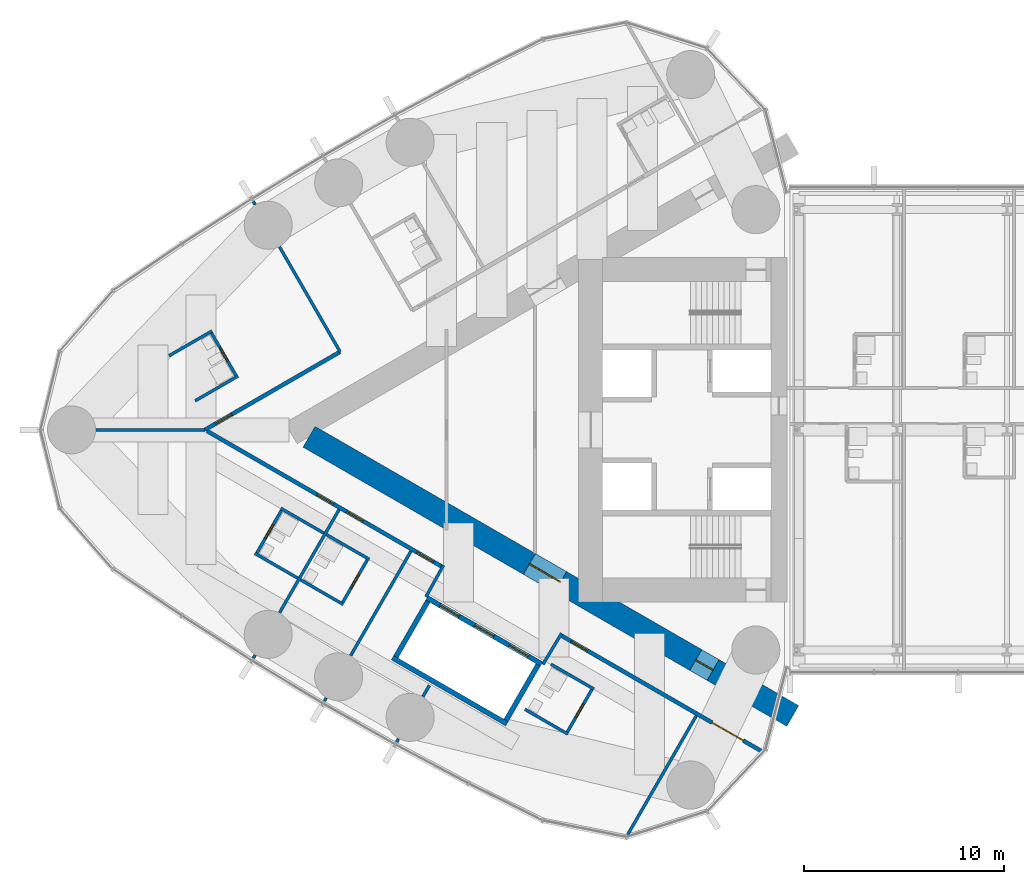
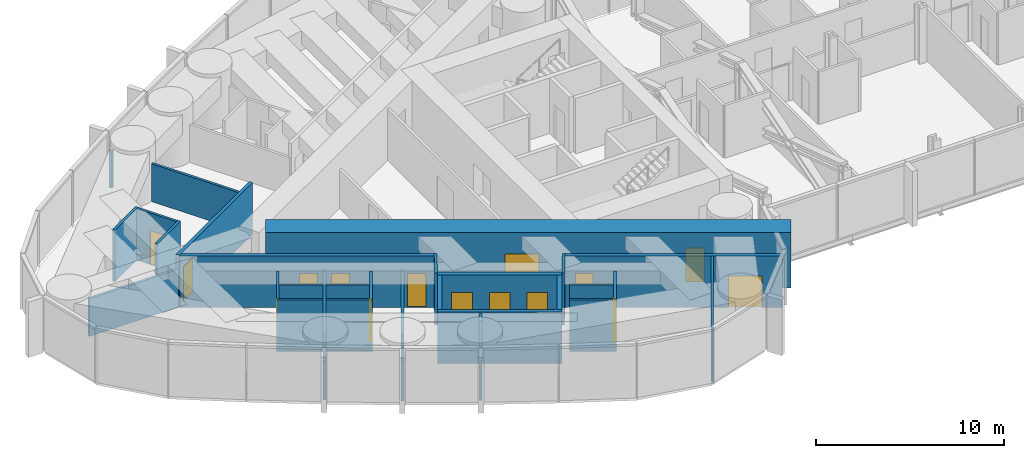
# One storey, part 14 of 22: 32 walls, 15 doors, 15 openings.
"""IFC4 building model written with IfcOpenShell, lengths in metres."""

from ifc_helpers import new_model, si_unit, direction, frame, frame_2d, origin, place, context, subcontext, project, spatial, rectangle, extrude, material, layer, layer_set, type_object, element, fill, save


model = new_model("IFC4")

# Units and contexts
model_context = context("Model", 3, precision=1e-05, world=origin(), true_north=direction((0.0, 1.0)))
body_context = subcontext(model_context, "Body", "Model", "MODEL_VIEW")
ifc_project = project(units=[si_unit("LENGTHUNIT", "METRE"), si_unit("AREAUNIT", "SQUARE_METRE"), si_unit("VOLUMEUNIT", "CUBIC_METRE"), si_unit("PLANEANGLEUNIT", "RADIAN"), si_unit("MASSUNIT", "GRAM", prefix="KILO")], contexts=[model_context])

# Site, building, storey
site_placement = place(None, origin())
site = spatial("IfcSite", under=ifc_project, at=site_placement, CompositionType="ELEMENT")
building_placement = place(site_placement, origin())
building = spatial("IfcBuilding", under=site, at=building_placement, Name="Lancet Gate Hotel", CompositionType="ELEMENT")
storey_placement = place(building_placement, frame((0.0, 0.0, 229.699951171875)))
storey = spatial("IfcBuildingStorey", under=building, at=storey_placement, Name="L61", CompositionType="ELEMENT", Elevation=229.699951171875)

# Wall
ifc_material_1 = material(Name="Moisture resistant board partition")
ifc_layer_1 = layer(ifc_material_1, 0.14990234375)
ifc_layer_set_1 = layer_set([ifc_layer_1], Name="Bathroom wall 150")
wall_type_1 = type_object("IfcWallType", Name="Bathroom wall 150", PredefinedType="PARTITIONING", material=ifc_layer_set_1)
wall_1_placement = place(storey_placement, frame((-56.215087890625, 4.938232421875, 0.0), z_axis=(0.0, 0.0, 1.0), x_axis=(-0.866006523861, -0.500032699561, 0.0)))
element("IfcWall", 1, at=wall_1_placement, inside=storey, type_object=wall_type_1, Name="T1 bathroom wall 150 L61", PredefinedType="PARTITIONING", context=body_context, shape_type="SweptSolid", body=[
    extrude(rectangle(XDim=2.474853515625, YDim=0.14990234375, at=frame_2d((1.2373046875, 0.0))), origin(), (0.0, 0.0, 1.0), 3.35009765625),
])

# Wall, opening, door
wall_2_placement = place(storey_placement, frame((-54.97998046875, 2.64892578125, 0.0), z_axis=(0.0, 0.0, 1.0), x_axis=(-0.500006934395, 0.866021400173, 0.0)))
wall_2 = element("IfcWall", 2, at=wall_2_placement, inside=storey, type_object=wall_type_1, Name="T1 bathroom wall 150 L61", PredefinedType="PARTITIONING", context=body_context, shape_type="SweptSolid", body=[
    extrude(rectangle(XDim=2.60009765625, YDim=0.14990234375, at=frame_2d((1.300048828125, 0.0))), origin(), (0.0, 0.0, 1.0), 3.35009765625),
])
opening_1_placement = place(wall_2_placement, frame((0.89990234375, 0.0, 0.0)))
opening_1 = element("IfcOpeningElement", 3, at=opening_1_placement, cuts=wall_2, Name="Opening 6105-B", PredefinedType="OPENING", context=body_context, shape_type="SweptSolid", body=[
    extrude(rectangle(XDim=0.800048828125, YDim=2.199951171875, at=frame_2d((0.39990234375, 1.10009765625))), frame((0.0, 0.0849609375, 0.0), z_axis=(0.0, -1.0, 0.0), x_axis=(1.0, 0.0, 0.0)), (0.0, 0.0, 1.0), 0.169921875),
])
ifc_material_2 = material(Name="Timber door set", Category="wood")
door_type_1 = type_object("IfcDoorType", Name="Bathroom door 800", OperationType="SINGLE_SWING_RIGHT", PredefinedType="DOOR", material=ifc_material_2)
door_1_placement = place(opening_1_placement, origin())
door_1 = element("IfcDoor", 4, at=door_1_placement, inside=storey, type_object=door_type_1, Name="6105-B", OperationType="SINGLE_SWING_RIGHT", OverallHeight=2.199951171875, OverallWidth=0.800048828125, PredefinedType="DOOR", context=body_context, shape_type="SweptSolid", body=[
    extrude(rectangle(XDim=0.800048828125, YDim=2.199951171875, at=frame_2d((0.39990234375, 1.10009765625))), frame((0.0, 0.02490234375, 0.0), z_axis=(0.0, -1.0, 0.0), x_axis=(1.0, 0.0, 0.0)), (0.0, 0.0, 1.0), 0.050048828125),
])
fill(opening_1, door_1)

# Walls
for number, where, z_axis, x_axis, name in (
    (5, (-54.9150390625, 2.6865234375, 0.0), (0.0, 0.0, 1.0), (-0.866006523861, -0.500032699561, 0.0), "T1 bathroom wall 150 L61"),
    (6, (-51.931396484375, -7.411376953125, 0.0), (0.0, 0.0, 1.0), (-0.866006523861, 0.500032699561, 0.0), "T1 bathroom wall 150 L61"),
):
    element("IfcWall", number, at=place(storey_placement, frame(where, z_axis=z_axis, x_axis=x_axis)), inside=storey, type_object=wall_type_1, Name=name, PredefinedType="PARTITIONING", context=body_context, shape_type="SweptSolid", body=[
        extrude(rectangle(XDim=2.474853515625, YDim=0.14990234375, at=frame_2d((1.2373046875, 0.0))), origin(), (0.0, 0.0, 1.0), 3.35009765625),
    ])

# Wall, opening, door
wall_3_placement = place(storey_placement, frame((-52.709716796875, -3.959716796875, 0.0), z_axis=(0.0, 0.0, 1.0), x_axis=(-0.500006934395, -0.866021400173, 0.0)))
wall_3 = element("IfcWall", 7, at=wall_3_placement, inside=storey, type_object=wall_type_1, Name="T1 bathroom wall 150 L61", PredefinedType="PARTITIONING", context=body_context, shape_type="SweptSolid", body=[
    extrude(rectangle(XDim=2.60009765625, YDim=0.14990234375, at=frame_2d((1.300048828125, 0.0))), origin(), (0.0, 0.0, 1.0), 3.35009765625),
])
opening_2_placement = place(wall_3_placement, frame((0.89990234375, 0.0, 0.0)))
opening_2 = element("IfcOpeningElement", 8, at=opening_2_placement, cuts=wall_3, Name="Opening 6106-B", PredefinedType="OPENING", context=body_context, shape_type="SweptSolid", body=[
    extrude(rectangle(XDim=0.800048828125, YDim=2.199951171875, at=frame_2d((0.39990234375, 1.10009765625))), frame((0.0, 0.0849609375, 0.0), z_axis=(0.0, -1.0, 0.0), x_axis=(1.0, 0.0, 0.0)), (0.0, 0.0, 1.0), 0.169921875),
])
door_2_placement = place(opening_2_placement, origin())
door_2 = element("IfcDoor", 9, at=door_2_placement, inside=storey, type_object=door_type_1, Name="6106-B", OperationType="SINGLE_SWING_RIGHT", OverallHeight=2.199951171875, OverallWidth=0.800048828125, PredefinedType="DOOR", context=body_context, shape_type="SweptSolid", body=[
    extrude(rectangle(XDim=0.800048828125, YDim=2.199951171875, at=frame_2d((0.39990234375, 1.10009765625))), frame((0.0, 0.02490234375, 0.0), z_axis=(0.0, -1.0, 0.0), x_axis=(1.0, 0.0, 0.0)), (0.0, 0.0, 1.0), 0.050048828125),
])
fill(opening_2, door_2)

# Walls
wall_4_placement = place(storey_placement, frame((-50.63134765625, -5.15966796875, 0.0), z_axis=(0.0, 0.0, 1.0), x_axis=(-0.86604923931, 0.499958713387, 0.0)))
element("IfcWall", 10, at=wall_4_placement, inside=storey, type_object=wall_type_1, Name="T1 bathroom wall 150 L61", PredefinedType="PARTITIONING", context=body_context, shape_type="SweptSolid", body=[
    extrude(rectangle(XDim=2.474853515625, YDim=0.14990234375, at=frame_2d((1.2373046875, 0.0))), origin(), (0.0, 0.0, 1.0), 2.5),
])
wall_5_placement = place(storey_placement, frame((-49.657958984375, -8.723876953125, 0.0), z_axis=(0.0, 0.0, 1.0), x_axis=(-0.866031185235, 0.4999899861, 0.0)))
element("IfcWall", 11, at=wall_5_placement, inside=storey, type_object=wall_type_1, Name="T1 bathroom wall 150 L61", PredefinedType="PARTITIONING", context=body_context, shape_type="SweptSolid", body=[
    extrude(rectangle(XDim=2.47509765625, YDim=0.14990234375, at=frame_2d((1.237548828125, 0.0))), origin(), (0.0, 0.0, 1.0), 3.35009765625),
])

# Wall, opening, door
wall_6_placement = place(storey_placement, frame((-48.4228515625, -6.434814453125, 0.0), z_axis=(0.0, 0.0, 1.0), x_axis=(-0.500006934395, -0.866021400173, 0.0)))
wall_6 = element("IfcWall", 12, at=wall_6_placement, inside=storey, type_object=wall_type_1, Name="T1 bathroom wall 150 L61", PredefinedType="PARTITIONING", context=body_context, shape_type="SweptSolid", body=[
    extrude(rectangle(XDim=2.60009765625, YDim=0.14990234375, at=frame_2d((1.300048828125, 0.0))), origin(), (0.0, 0.0, 1.0), 3.35009765625),
])
opening_3_placement = place(wall_6_placement, frame((0.89990234375, 0.0, 0.0)))
opening_3 = element("IfcOpeningElement", 13, at=opening_3_placement, cuts=wall_6, Name="Opening 6107-B", PredefinedType="OPENING", context=body_context, shape_type="SweptSolid", body=[
    extrude(rectangle(XDim=0.800048828125, YDim=2.199951171875, at=frame_2d((0.39990234375, 1.10009765625))), frame((0.0, 0.0849609375, 0.0), z_axis=(0.0, -1.0, 0.0), x_axis=(1.0, 0.0, 0.0)), (0.0, 0.0, 1.0), 0.169921875),
])
door_3_placement = place(opening_3_placement, origin())
door_3 = element("IfcDoor", 14, at=door_3_placement, inside=storey, type_object=door_type_1, Name="6107-B", OperationType="SINGLE_SWING_RIGHT", OverallHeight=2.199951171875, OverallWidth=0.800048828125, PredefinedType="DOOR", context=body_context, shape_type="SweptSolid", body=[
    extrude(rectangle(XDim=0.800048828125, YDim=2.199951171875, at=frame_2d((0.39990234375, 1.10009765625))), frame((0.0, 0.02490234375, 0.0), z_axis=(0.0, -1.0, 0.0), x_axis=(1.0, 0.0, 0.0)), (0.0, 0.0, 1.0), 0.050048828125),
])
fill(opening_3, door_3)

# Walls
wall_7_placement = place(storey_placement, frame((-48.35791015625, -6.47216796875, 0.0), z_axis=(0.0, 0.0, 1.0), x_axis=(-0.866073894602, 0.499916002032, 0.0)))
element("IfcWall", 15, at=wall_7_placement, inside=storey, type_object=wall_type_1, Name="T1 bathroom wall 150 L61", PredefinedType="PARTITIONING", context=body_context, shape_type="SweptSolid", body=[
    extrude(rectangle(XDim=2.47509765625, YDim=0.14990234375, at=frame_2d((1.237548828125, 0.0))), origin(), (0.0, 0.0, 1.0), 2.5),
])
wall_8_placement = place(storey_placement, frame((-38.43798828125, -15.20166015625, 0.0), z_axis=(0.0, 0.0, 1.0), x_axis=(-0.866073894602, 0.499916002032, 0.0)))
element("IfcWall", 16, at=wall_8_placement, inside=storey, type_object=wall_type_1, Name="T1 bathroom wall 150 L61", PredefinedType="PARTITIONING", context=body_context, shape_type="SweptSolid", body=[
    extrude(rectangle(XDim=2.47509765625, YDim=0.14990234375, at=frame_2d((1.237548828125, 0.0))), origin(), (0.0, 0.0, 1.0), 3.35009765625),
])

# Wall, opening, door
wall_9_placement = place(storey_placement, frame((-37.202880859375, -12.91259765625, 0.0), z_axis=(0.0, 0.0, 1.0), x_axis=(-0.500006934395, -0.866021400173, 0.0)))
wall_9 = element("IfcWall", 17, at=wall_9_placement, inside=storey, type_object=wall_type_1, Name="T1 bathroom wall 150 L61", PredefinedType="PARTITIONING", context=body_context, shape_type="SweptSolid", body=[
    extrude(rectangle(XDim=2.60009765625, YDim=0.14990234375, at=frame_2d((1.300048828125, 0.0))), origin(), (0.0, 0.0, 1.0), 3.35009765625),
])
opening_4_placement = place(wall_9_placement, frame((0.89990234375, 0.0, 0.0)))
opening_4 = element("IfcOpeningElement", 18, at=opening_4_placement, cuts=wall_9, Name="Opening 6109-B", PredefinedType="OPENING", context=body_context, shape_type="SweptSolid", body=[
    extrude(rectangle(XDim=0.800048828125, YDim=2.199951171875, at=frame_2d((0.39990234375, 1.10009765625))), frame((0.0, 0.0849609375, 0.0), z_axis=(0.0, -1.0, 0.0), x_axis=(1.0, 0.0, 0.0)), (0.0, 0.0, 1.0), 0.169921875),
])
door_4_placement = place(opening_4_placement, origin())
door_4 = element("IfcDoor", 19, at=door_4_placement, inside=storey, type_object=door_type_1, Name="6109-B", OperationType="SINGLE_SWING_RIGHT", OverallHeight=2.199951171875, OverallWidth=0.800048828125, PredefinedType="DOOR", context=body_context, shape_type="SweptSolid", body=[
    extrude(rectangle(XDim=0.800048828125, YDim=2.199951171875, at=frame_2d((0.39990234375, 1.10009765625))), frame((0.0, 0.02490234375, 0.0), z_axis=(0.0, -1.0, 0.0), x_axis=(1.0, 0.0, 0.0)), (0.0, 0.0, 1.0), 0.050048828125),
])
fill(opening_4, door_4)

# Wall
wall_10_placement = place(storey_placement, frame((-37.137939453125, -12.9501953125, 0.0), z_axis=(0.0, 0.0, 1.0), x_axis=(-0.866031185235, 0.4999899861, 0.0)))
element("IfcWall", 20, at=wall_10_placement, inside=storey, type_object=wall_type_1, Name="T1 bathroom wall 150 L61", PredefinedType="PARTITIONING", context=body_context, shape_type="SweptSolid", body=[
    extrude(rectangle(XDim=2.47509765625, YDim=0.14990234375, at=frame_2d((1.237548828125, 0.0))), origin(), (0.0, 0.0, 1.0), 2.5),
])

# Wall, openings, doors
ifc_material_3 = material(Name="Concrete C70/85", Category="concrete")
ifc_layer_2 = layer(ifc_material_3, 1.199951171875)
ifc_layer_set_2 = layer_set([ifc_layer_2], Name="Buttress wall 1200")
wall_type_2 = type_object("IfcWallType", Name="Buttress wall 1200", PredefinedType="SHEAR", material=ifc_layer_set_2)
wall_11_placement = place(storey_placement, frame((-27.199951171875, -14.300048828125, 0.0), z_axis=(0.0, 0.0, 1.0), x_axis=(-0.866024021859, 0.500002393557, 0.0)))
wall_11 = element("IfcWall", 21, at=wall_11_placement, inside=storey, type_object=wall_type_2, Name="T1 buttress wall N L61", PredefinedType="SHEAR", context=body_context, shape_type="SweptSolid", body=[
    extrude(rectangle(XDim=27.906982421875, YDim=1.199951171875, at=frame_2d((13.95361328125, 0.0))), origin(), (0.0, 0.0, 1.0), 3.60009765625),
])
opening_5_placement = place(wall_11_placement, frame((4.60009765625, 0.0, 0.0)))
opening_5 = element("IfcOpeningElement", 22, at=opening_5_placement, cuts=wall_11, Name="Opening T1-L61-LN", PredefinedType="OPENING", context=body_context, shape_type="SweptSolid", body=[
    extrude(rectangle(XDim=1.0, YDim=2.199951171875, at=frame_2d((0.5, 1.10009765625))), frame((0.0, 0.60986328125, 0.0), z_axis=(0.0, -1.0, 0.0), x_axis=(1.0, 0.0, 0.0)), (0.0, 0.0, 1.0), 1.219970703125),
])
opening_6_placement = place(wall_11_placement, frame((13.39453125, 0.0, 0.0)))
opening_6 = element("IfcOpeningElement", 23, at=opening_6_placement, cuts=wall_11, Name="Opening T1-L61-LHN", PredefinedType="OPENING", context=body_context, shape_type="SweptSolid", body=[
    extrude(rectangle(XDim=1.800048828125, YDim=2.199951171875, at=frame_2d((0.89990234375, 1.10009765625))), frame((0.0, 0.60986328125, 0.0), z_axis=(0.0, -1.0, 0.0), x_axis=(1.0, 0.0, 0.0)), (0.0, 0.0, 1.0), 1.219970703125),
])
ifc_material_4 = material(Name="Timber door set", Category="wood")
door_type_2 = type_object("IfcDoorType", Name="Lobby double door 1800", OperationType="DOUBLE_DOOR_SINGLE_SWING", PredefinedType="DOOR", material=ifc_material_4)
door_5_placement = place(opening_6_placement, origin())
door_5 = element("IfcDoor", 24, at=door_5_placement, inside=storey, type_object=door_type_2, Name="T1-L61-LHN", OperationType="DOUBLE_DOOR_SINGLE_SWING", OverallHeight=2.199951171875, OverallWidth=1.800048828125, PredefinedType="DOOR", context=body_context, shape_type="SweptSolid", body=[
    extrude(rectangle(XDim=1.800048828125, YDim=2.199951171875, at=frame_2d((0.89990234375, 1.10009765625))), frame((0.0, 0.02490234375, 0.0), z_axis=(0.0, -1.0, 0.0), x_axis=(1.0, 0.0, 0.0)), (0.0, 0.0, 1.0), 0.050048828125),
])
fill(opening_6, door_5)
ifc_material_5 = material(Name="Timber door set", Category="wood")
door_type_3 = type_object("IfcDoorType", Name="Stair lobby door 1000", OperationType="SINGLE_SWING_LEFT", PredefinedType="DOOR", material=ifc_material_5)
door_6_placement = place(opening_5_placement, origin())
door_6 = element("IfcDoor", 25, at=door_6_placement, inside=storey, type_object=door_type_3, Name="T1-L61-LN", OperationType="SINGLE_SWING_LEFT", OverallHeight=2.199951171875, OverallWidth=1.0, PredefinedType="DOOR", context=body_context, shape_type="SweptSolid", body=[
    extrude(rectangle(XDim=1.0, YDim=2.199951171875, at=frame_2d((0.5, 1.10009765625))), frame((0.0, 0.02490234375, 0.0), z_axis=(0.0, -1.0, 0.0), x_axis=(1.0, 0.0, 0.0)), (0.0, 0.0, 1.0), 0.050048828125),
])
fill(opening_5, door_6)

ifc_material_6 = material(Name="Gypsum board partition")
ifc_layer_3 = layer(ifc_material_6, 0.199951171875)
ifc_layer_set_3 = layer_set([ifc_layer_3], Name="Corridor wall 200")
wall_type_3 = type_object("IfcWallType", Name="Corridor wall 200", PredefinedType="PARTITIONING", material=ifc_layer_set_3)
wall_12_placement = place(storey_placement, frame((-28.737060546875, -16.068359375, 0.0), z_axis=(0.0, 0.0, 1.0), x_axis=(-0.866029399323, 0.49999307946, 0.0)))
wall_12 = element("IfcWall", 26, at=wall_12_placement, inside=storey, type_object=wall_type_3, Name="T1 corridor wall 200 L61", PredefinedType="PARTITIONING", context=body_context, shape_type="SweptSolid", body=[
    extrude(rectangle(XDim=11.609619140625, YDim=0.199951171875, at=frame_2d((5.8046875, 0.0))), origin(), (0.0, 0.0, 1.0), 3.35009765625),
])
opening_7_placement = place(wall_12_placement, frame((1.080078125, 0.0, 0.0)))
opening_7 = element("IfcOpeningElement", 27, at=opening_7_placement, cuts=wall_12, Name="Opening 6110-E", PredefinedType="OPENING", context=body_context, shape_type="SweptSolid", body=[
    extrude(rectangle(XDim=1.800048828125, YDim=2.0400390625, at=frame_2d((0.89990234375, 1.02001953125))), frame((0.0, 0.10986328125, 0.0), z_axis=(0.0, -1.0, 0.0), x_axis=(1.0, 0.0, 0.0)), (0.0, 0.0, 1.0), 0.219970703125),
])
opening_8_placement = place(wall_12_placement, frame((10.0595703125, 0.0, 0.0)))
opening_8 = element("IfcOpeningElement", 28, at=opening_8_placement, cuts=wall_12, Name="Opening 6109-E", PredefinedType="OPENING", context=body_context, shape_type="SweptSolid", body=[
    extrude(rectangle(XDim=0.949951171875, YDim=2.199951171875, at=frame_2d((0.47509765625, 1.10009765625))), frame((0.0, 0.10986328125, 0.0), z_axis=(0.0, -1.0, 0.0), x_axis=(1.0, 0.0, 0.0)), (0.0, 0.0, 1.0), 0.219970703125),
])
ifc_material_7 = material(Name="Timber door set", Category="wood")
door_type_4 = type_object("IfcDoorType", Name="Double door 1800, 2040 high", OperationType="DOUBLE_DOOR_SINGLE_SWING", PredefinedType="DOOR", material=ifc_material_7)
door_7_placement = place(opening_7_placement, origin())
door_7 = element("IfcDoor", 29, at=door_7_placement, inside=storey, type_object=door_type_4, Name="6110-E", OperationType="DOUBLE_DOOR_SINGLE_SWING", OverallHeight=2.0400390625, OverallWidth=1.800048828125, PredefinedType="DOOR", context=body_context, shape_type="SweptSolid", body=[
    extrude(rectangle(XDim=1.800048828125, YDim=2.0400390625, at=frame_2d((0.89990234375, 1.02001953125))), frame((0.0, 0.02490234375, 0.0), z_axis=(0.0, -1.0, 0.0), x_axis=(1.0, 0.0, 0.0)), (0.0, 0.0, 1.0), 0.050048828125),
])
fill(opening_7, door_7)
ifc_material_8 = material(Name="Timber door set", Category="wood")
door_type_5 = type_object("IfcDoorType", Name="Guest room entry door 950", OperationType="SINGLE_SWING_LEFT", PredefinedType="DOOR", material=ifc_material_8)
door_8_placement = place(opening_8_placement, origin())
door_8 = element("IfcDoor", 30, at=door_8_placement, inside=storey, type_object=door_type_5, Name="6109-E", OperationType="SINGLE_SWING_LEFT", OverallHeight=2.199951171875, OverallWidth=0.949951171875, PredefinedType="DOOR", context=body_context, shape_type="SweptSolid", body=[
    extrude(rectangle(XDim=0.949951171875, YDim=2.199951171875, at=frame_2d((0.47509765625, 1.10009765625))), frame((0.0, 0.02490234375, 0.0), z_axis=(0.0, -1.0, 0.0), x_axis=(1.0, 0.0, 0.0)), (0.0, 0.0, 1.0), 0.050048828125),
])
fill(opening_8, door_8)

wall_13_placement = place(storey_placement, frame((-44.715087890625, -6.843505859375, 0.0), z_axis=(0.0, 0.0, 1.0), x_axis=(-0.866025261224, 0.500000246922, 0.0)))
wall_13 = element("IfcWall", 31, at=wall_13_placement, inside=storey, type_object=wall_type_3, Name="T1 corridor wall 200 L61", PredefinedType="PARTITIONING", context=body_context, shape_type="SweptSolid", body=[
    extrude(rectangle(XDim=13.56689453125, YDim=0.199951171875, at=frame_2d((6.783447265625, 0.0))), origin(), (0.0, 0.0, 1.0), 3.35009765625),
])
opening_9_placement = place(wall_13_placement, frame((6.265625, 0.0, 0.0)))
opening_9 = element("IfcOpeningElement", 32, at=opening_9_placement, cuts=wall_13, Name="Opening 6106-E", PredefinedType="OPENING", context=body_context, shape_type="SweptSolid", body=[
    extrude(rectangle(XDim=0.949951171875, YDim=2.199951171875, at=frame_2d((0.47509765625, 1.10009765625))), frame((0.0, 0.10986328125, 0.0), z_axis=(0.0, -1.0, 0.0), x_axis=(1.0, 0.0, 0.0)), (0.0, 0.0, 1.0), 0.219970703125),
])
opening_10_placement = place(wall_13_placement, frame((4.5654296875, 0.0, 0.0)))
opening_10 = element("IfcOpeningElement", 33, at=opening_10_placement, cuts=wall_13, Name="Opening 6107-E", PredefinedType="OPENING", context=body_context, shape_type="SweptSolid", body=[
    extrude(rectangle(XDim=0.949951171875, YDim=2.199951171875, at=frame_2d((0.47509765625, 1.10009765625))), frame((0.0, 0.10986328125, 0.0), z_axis=(0.0, -1.0, 0.0), x_axis=(1.0, 0.0, 0.0)), (0.0, 0.0, 1.0), 0.219970703125),
])
opening_11_placement = place(wall_13_placement, frame((0.5, 0.0, 0.0)))
opening_11 = element("IfcOpeningElement", 34, at=opening_11_placement, cuts=wall_13, Name="Opening T1-L61-LO1", PredefinedType="OPENING", context=body_context, shape_type="SweptSolid", body=[
    extrude(rectangle(XDim=0.967041015625, YDim=2.199951171875, at=frame_2d((0.4833984375, 1.10009765625))), frame((0.0, 0.10986328125, 0.0), z_axis=(0.0, -1.0, 0.0), x_axis=(1.0, 0.0, 0.0)), (0.0, 0.0, 1.0), 0.219970703125),
])
door_9_placement = place(opening_9_placement, origin())
door_9 = element("IfcDoor", 35, at=door_9_placement, inside=storey, type_object=door_type_5, Name="6106-E", OperationType="SINGLE_SWING_LEFT", OverallHeight=2.199951171875, OverallWidth=0.949951171875, PredefinedType="DOOR", context=body_context, shape_type="SweptSolid", body=[
    extrude(rectangle(XDim=0.949951171875, YDim=2.199951171875, at=frame_2d((0.47509765625, 1.10009765625))), frame((0.0, 0.02490234375, 0.0), z_axis=(0.0, -1.0, 0.0), x_axis=(1.0, 0.0, 0.0)), (0.0, 0.0, 1.0), 0.050048828125),
])
fill(opening_9, door_9)
door_10_placement = place(opening_10_placement, origin())
door_10 = element("IfcDoor", 36, at=door_10_placement, inside=storey, type_object=door_type_5, Name="6107-E", OperationType="SINGLE_SWING_LEFT", OverallHeight=2.199951171875, OverallWidth=0.949951171875, PredefinedType="DOOR", context=body_context, shape_type="SweptSolid", body=[
    extrude(rectangle(XDim=0.949951171875, YDim=2.199951171875, at=frame_2d((0.47509765625, 1.10009765625))), frame((0.0, 0.02490234375, 0.0), z_axis=(0.0, -1.0, 0.0), x_axis=(1.0, 0.0, 0.0)), (0.0, 0.0, 1.0), 0.050048828125),
])
fill(opening_10, door_10)
door_11_placement = place(opening_11_placement, origin())
door_11 = element("IfcDoor", 37, at=door_11_placement, inside=storey, type_object=door_type_5, Name="T1-L61-LO1", OperationType="SINGLE_SWING_LEFT", OverallHeight=2.199951171875, OverallWidth=0.967041015625, PredefinedType="DOOR", context=body_context, shape_type="SweptSolid", body=[
    extrude(rectangle(XDim=0.967041015625, YDim=2.199951171875, at=frame_2d((0.4833984375, 1.10009765625))), frame((0.0, 0.02490234375, 0.0), z_axis=(0.0, -1.0, 0.0), x_axis=(1.0, 0.0, 0.0)), (0.0, 0.0, 1.0), 0.050048828125),
])
fill(opening_11, door_11)

# Wall, opening, door
wall_14_placement = place(storey_placement, frame((-49.81640625, 3.898193359375, 0.0), z_axis=(0.0, 0.0, 1.0), x_axis=(-0.866028102716, -0.499995325284, 0.0)))
wall_14 = element("IfcWall", 38, at=wall_14_placement, inside=storey, type_object=wall_type_3, Name="T1 corridor wall 200 L61", PredefinedType="PARTITIONING", context=body_context, shape_type="SweptSolid", body=[
    extrude(rectangle(XDim=7.79638671875, YDim=0.199951171875, at=frame_2d((3.898193359375, 0.0))), origin(), (0.0, 0.0, 1.0), 3.35009765625),
])
opening_12_placement = place(wall_14_placement, frame((6.246337890625, 0.0, 0.0)))
opening_12 = element("IfcOpeningElement", 39, at=opening_12_placement, cuts=wall_14, Name="Opening 6105-E", PredefinedType="OPENING", context=body_context, shape_type="SweptSolid", body=[
    extrude(rectangle(XDim=0.949951171875, YDim=2.199951171875, at=frame_2d((0.47509765625, 1.10009765625))), frame((0.0, 0.10986328125, 0.0), z_axis=(0.0, -1.0, 0.0), x_axis=(1.0, 0.0, 0.0)), (0.0, 0.0, 1.0), 0.219970703125),
])
door_12_placement = place(opening_12_placement, origin())
door_12 = element("IfcDoor", 40, at=door_12_placement, inside=storey, type_object=door_type_5, Name="6105-E", OperationType="SINGLE_SWING_LEFT", OverallHeight=2.199951171875, OverallWidth=0.949951171875, PredefinedType="DOOR", context=body_context, shape_type="SweptSolid", body=[
    extrude(rectangle(XDim=0.949951171875, YDim=2.199951171875, at=frame_2d((0.47509765625, 1.10009765625))), frame((0.0, 0.02490234375, 0.0), z_axis=(0.0, -1.0, 0.0), x_axis=(1.0, 0.0, 0.0)), (0.0, 0.0, 1.0), 0.050048828125),
])
fill(opening_12, door_12)

# Wall, openings, doors
ifc_material_9 = material(Name="Gypsum board partition")
ifc_layer_4 = layer(ifc_material_9, 0.25)
ifc_layer_set_4 = layer_set([ifc_layer_4], Name="Lift shaft partition 250")
wall_type_4 = type_object("IfcWallType", Name="Lift shaft partition 250", PredefinedType="PARTITIONING", material=ifc_layer_set_4)
wall_15_placement = place(storey_placement, frame((-39.757568359375, -11.697265625, 0.0), z_axis=(0.0, 0.0, 1.0), x_axis=(-0.866024194504, 0.500002094529, 0.0)))
wall_15 = element("IfcWall", 41, at=wall_15_placement, inside=storey, type_object=wall_type_4, Name="T1 lift shaft wall HL L61", PredefinedType="PARTITIONING", context=body_context, shape_type="SweptSolid", body=[
    extrude(rectangle(XDim=6.60009765625, YDim=0.25, at=frame_2d((3.300048828125, 0.0))), origin(), (0.0, 0.0, 1.0), 3.35009765625),
])
opening_13_placement = place(wall_15_placement, frame((0.75, 0.0, 0.0)))
opening_13 = element("IfcOpeningElement", 42, at=opening_13_placement, cuts=wall_15, Name="Opening T1-HL1-L61", PredefinedType="OPENING", context=body_context, shape_type="SweptSolid", body=[
    extrude(rectangle(XDim=1.10009765625, YDim=2.199951171875, at=frame_2d((0.550048828125, 1.10009765625))), frame((0.0, 0.135009765625, 0.0), z_axis=(0.0, -1.0, 0.0), x_axis=(1.0, 0.0, 0.0)), (0.0, 0.0, 1.0), 0.27001953125),
])
opening_14_placement = place(wall_15_placement, frame((2.75, 0.0, 0.0)))
opening_14 = element("IfcOpeningElement", 43, at=opening_14_placement, cuts=wall_15, Name="Opening T1-HL2-L61", PredefinedType="OPENING", context=body_context, shape_type="SweptSolid", body=[
    extrude(rectangle(XDim=1.10009765625, YDim=2.199951171875, at=frame_2d((0.550048828125, 1.10009765625))), frame((0.0, 0.135009765625, 0.0), z_axis=(0.0, -1.0, 0.0), x_axis=(1.0, 0.0, 0.0)), (0.0, 0.0, 1.0), 0.27001953125),
])
opening_15_placement = place(wall_15_placement, frame((4.75, 0.0, 0.0)))
opening_15 = element("IfcOpeningElement", 44, at=opening_15_placement, cuts=wall_15, Name="Opening T1-HL3-L61", PredefinedType="OPENING", context=body_context, shape_type="SweptSolid", body=[
    extrude(rectangle(XDim=1.10009765625, YDim=2.199951171875, at=frame_2d((0.550048828125, 1.10009765625))), frame((0.0, 0.135009765625, 0.0), z_axis=(0.0, -1.0, 0.0), x_axis=(1.0, 0.0, 0.0)), (0.0, 0.0, 1.0), 0.27001953125),
])
ifc_material_10 = material(Name="Steel door set", Category="steel")
door_type_6 = type_object("IfcDoorType", Name="Lift landing door 1100", OperationType="DOUBLE_DOOR_SLIDING", PredefinedType="USERDEFINED", material=ifc_material_10)
door_13_placement = place(opening_13_placement, origin())
door_13 = element("IfcDoor", 45, at=door_13_placement, inside=storey, type_object=door_type_6, Name="T1-HL1-L61", ObjectType="LIFT LANDING DOOR", OperationType="DOUBLE_DOOR_SLIDING", OverallHeight=2.199951171875, OverallWidth=1.10009765625, PredefinedType="USERDEFINED", context=body_context, shape_type="SweptSolid", body=[
    extrude(rectangle(XDim=1.10009765625, YDim=2.199951171875, at=frame_2d((0.550048828125, 1.10009765625))), frame((0.0, 0.02490234375, 0.0), z_axis=(0.0, -1.0, 0.0), x_axis=(1.0, 0.0, 0.0)), (0.0, 0.0, 1.0), 0.050048828125),
])
fill(opening_13, door_13)
door_14_placement = place(opening_14_placement, origin())
door_14 = element("IfcDoor", 46, at=door_14_placement, inside=storey, type_object=door_type_6, Name="T1-HL2-L61", ObjectType="LIFT LANDING DOOR", OperationType="DOUBLE_DOOR_SLIDING", OverallHeight=2.199951171875, OverallWidth=1.10009765625, PredefinedType="USERDEFINED", context=body_context, shape_type="SweptSolid", body=[
    extrude(rectangle(XDim=1.10009765625, YDim=2.199951171875, at=frame_2d((0.550048828125, 1.10009765625))), frame((0.0, 0.02490234375, 0.0), z_axis=(0.0, -1.0, 0.0), x_axis=(1.0, 0.0, 0.0)), (0.0, 0.0, 1.0), 0.050048828125),
])
fill(opening_14, door_14)
door_15_placement = place(opening_15_placement, origin())
door_15 = element("IfcDoor", 47, at=door_15_placement, inside=storey, type_object=door_type_6, Name="T1-HL3-L61", ObjectType="LIFT LANDING DOOR", OperationType="DOUBLE_DOOR_SLIDING", OverallHeight=2.199951171875, OverallWidth=1.10009765625, PredefinedType="USERDEFINED", context=body_context, shape_type="SweptSolid", body=[
    extrude(rectangle(XDim=1.10009765625, YDim=2.199951171875, at=frame_2d((0.550048828125, 1.10009765625))), frame((0.0, 0.02490234375, 0.0), z_axis=(0.0, -1.0, 0.0), x_axis=(1.0, 0.0, 0.0)), (0.0, 0.0, 1.0), 0.050048828125),
])
fill(opening_15, door_15)

# Walls
wall_16_placement = place(storey_placement, frame((-41.482421875, -14.685791015625, 0.0), z_axis=(0.0, 0.0, 1.0), x_axis=(-0.86603344179, 0.499986077507, 0.0)))
element("IfcWall", 48, at=wall_16_placement, inside=storey, type_object=wall_type_4, Name="T1 lift shaft wall HL L61", PredefinedType="PARTITIONING", context=body_context, shape_type="SweptSolid", body=[
    extrude(rectangle(XDim=6.600341796875, YDim=0.25, at=frame_2d((3.30029296875, 0.0))), origin(), (0.0, 0.0, 1.0), 3.35009765625),
])
for number, where, z_axis, x_axis, name in (
    (49, (-39.92822265625, -11.742919921875, 0.0), (0.0, 0.0, 1.0), (-0.499929347863, -0.866066190972, 0.0), "T1 lift shaft wall HL L61"),
    (50, (-45.427734375, -8.568115234375, 0.0), (0.0, 0.0, 1.0), (-0.499929347863, -0.866066190972, 0.0), "T1 lift shaft wall HL L61"),
):
    element("IfcWall", number, at=place(storey_placement, frame(where, z_axis=z_axis, x_axis=x_axis)), inside=storey, type_object=wall_type_4, Name=name, PredefinedType="PARTITIONING", context=body_context, shape_type="SweptSolid", body=[
        extrude(rectangle(XDim=3.20068359375, YDim=0.25, at=frame_2d((1.600341796875, 0.0))), origin(), (0.0, 0.0, 1.0), 3.35009765625),
    ])
ifc_material_11 = material(Name="Gypsum board partition")
ifc_layer_5 = layer(ifc_material_11, 0.14990234375)
ifc_layer_set_5 = layer_set([ifc_layer_5], Name="Party wall 150")
wall_type_5 = type_object("IfcWallType", Name="Party wall 150", PredefinedType="PARTITIONING", material=ifc_layer_set_5)
wall_17_placement = place(storey_placement, frame((-49.81640625, 3.898193359375, 0.0), z_axis=(0.0, 0.0, 1.0), x_axis=(-0.500001913541, 0.866024298998, 0.0)))
element("IfcWall", 51, at=wall_17_placement, inside=storey, type_object=wall_type_5, Name="T1 party wall 150 L61", PredefinedType="PARTITIONING", context=body_context, shape_type="SweptSolid", body=[
    extrude(rectangle(XDim=6.0498046875, YDim=0.14990234375, at=frame_2d((3.02490234375, 0.0))), origin(), (0.0, 0.0, 1.0), 2.449951171875),
])
wall_18_placement = place(storey_placement, frame((-54.061279296875, 11.25048828125, 0.0), z_axis=(0.0, 0.0, 1.0), x_axis=(-0.500391173478, 0.865799441849, 0.0)))
element("IfcWall", 52, at=wall_18_placement, inside=storey, type_object=wall_type_5, Name="T1 party wall 150 L61", PredefinedType="PARTITIONING", context=body_context, shape_type="SweptSolid", body=[
    extrude(rectangle(XDim=0.178955078125, YDim=0.14990234375, at=frame_2d((0.08935546875, 0.0))), origin(), (0.0, 0.0, 1.0), 2.449951171875),
])
wall_19_placement = place(storey_placement, frame((-32.021728515625, -14.287353515625, 0.0), z_axis=(0.0, 0.0, 1.0), x_axis=(-0.50000019414, -0.866025291697, 0.0)))
element("IfcWall", 53, at=wall_19_placement, inside=storey, type_object=wall_type_5, Name="T1 party wall 150 L61", PredefinedType="PARTITIONING", context=body_context, shape_type="SweptSolid", body=[
    extrude(rectangle(XDim=6.84814453125, YDim=0.14990234375, at=frame_2d((3.424072265625, 0.0))), origin(), (0.0, 0.0, 1.0), 3.35009765625),
])
wall_20_placement = place(storey_placement, frame((-46.89794921875, -15.438720703125, 0.0), z_axis=(0.0, 0.0, 1.0), x_axis=(-0.500232303069, -0.865891241997, 0.0)))
element("IfcWall", 54, at=wall_20_placement, inside=storey, type_object=wall_type_5, Name="T1 party wall 150 L61", PredefinedType="PARTITIONING", context=body_context, shape_type="SweptSolid", body=[
    extrude(rectangle(XDim=0.1796875, YDim=0.14990234375, at=frame_2d((0.08984375, 0.0))), origin(), (0.0, 0.0, 1.0), 2.449951171875),
])
wall_21_placement = place(storey_placement, frame((-46.273681640625, -6.05908203125, 0.0), z_axis=(0.0, 0.0, 1.0), x_axis=(-0.500020471368, -0.866013584312, 0.0)))
element("IfcWall", 55, at=wall_21_placement, inside=storey, type_object=wall_type_5, Name="T1 party wall 150 L61", PredefinedType="PARTITIONING", context=body_context, shape_type="SweptSolid", body=[
    extrude(rectangle(XDim=6.027587890625, YDim=0.14990234375, at=frame_2d((3.013671875, 0.0))), origin(), (0.0, 0.0, 1.0), 2.449951171875),
])
wall_22_placement = place(storey_placement, frame((-50.507568359375, -13.392333984375, 0.0), z_axis=(0.0, 0.0, 1.0), x_axis=(-0.499644091975, -0.866230789891, 0.0)))
element("IfcWall", 56, at=wall_22_placement, inside=storey, type_object=wall_type_5, Name="T1 party wall 150 L61", PredefinedType="PARTITIONING", context=body_context, shape_type="SweptSolid", body=[
    extrude(rectangle(XDim=0.179931640625, YDim=0.14990234375, at=frame_2d((0.08984375, 0.0))), origin(), (0.0, 0.0, 1.0), 2.449951171875),
])
wall_23_placement = place(storey_placement, frame((-49.866455078125, -3.98486328125, 0.0), z_axis=(0.0, 0.0, 1.0), x_axis=(-0.500000694566, -0.866025002776, 0.0)))
element("IfcWall", 57, at=wall_23_placement, inside=storey, type_object=wall_type_5, Name="T1 party wall 150 L61", PredefinedType="PARTITIONING", context=body_context, shape_type="SweptSolid", body=[
    extrude(rectangle(XDim=5.94970703125, YDim=0.14990234375, at=frame_2d((2.974853515625, 0.0))), origin(), (0.0, 0.0, 1.0), 2.449951171875),
])
wall_24_placement = place(storey_placement, frame((-54.061279296875, -11.25048828125, 0.0), z_axis=(0.0, 0.0, 1.0), x_axis=(-0.500391173478, -0.865799441849, 0.0)))
element("IfcWall", 58, at=wall_24_placement, inside=storey, type_object=wall_type_5, Name="T1 party wall 150 L61", PredefinedType="PARTITIONING", context=body_context, shape_type="SweptSolid", body=[
    extrude(rectangle(XDim=0.178955078125, YDim=0.14990234375, at=frame_2d((0.08935546875, 0.0))), origin(), (0.0, 0.0, 1.0), 2.449951171875),
])
wall_25_placement = place(storey_placement, frame((-56.568359375, 0.0, 0.0), z_axis=(0.0, 0.0, 1.0), x_axis=(-1.0, 0.0, 0.0)))
element("IfcWall", 59, at=wall_25_placement, inside=storey, type_object=wall_type_5, Name="T1 party wall 150 L61", PredefinedType="PARTITIONING", context=body_context, shape_type="SweptSolid", body=[
    extrude(rectangle(XDim=5.446044921875, YDim=0.14990234375, at=frame_2d((2.72314453125, 0.0))), origin(), (0.0, 0.0, 1.0), 2.449951171875),
])
wall_26_placement = place(storey_placement, frame((-45.355712890625, -12.767333984375, 0.0), z_axis=(0.0, 0.0, 1.0), x_axis=(-0.499886366516, -0.866091000168, 0.0)))
element("IfcWall", 60, at=wall_26_placement, inside=storey, type_object=wall_type_5, Name="T1 party wall 150 L61", PredefinedType="PARTITIONING", context=body_context, shape_type="SweptSolid", body=[
    extrude(rectangle(XDim=0.644775390625, YDim=0.14990234375, at=frame_2d((0.322265625, 0.0))), origin(), (0.0, 0.0, 1.0), 3.35009765625),
])
ifc_material_12 = material(Name="Gypsum board partition")
ifc_layer_6 = layer(ifc_material_12, 0.14990234375)
ifc_layer_set_6 = layer_set([ifc_layer_6], Name="Service room wall 150")
wall_type_6 = type_object("IfcWallType", Name="Service room wall 150", PredefinedType="PARTITIONING", material=ifc_layer_set_6)
for number, where, z_axis, x_axis, name in (
    (61, (-39.6826171875, -11.717529296875, 0.0), (0.0, 0.0, 1.0), (0.514336634837, 0.857588377991, 0.0), "T1 service room wall 150 L61"),
    (62, (-44.652099609375, -6.764404296875, 0.0), (0.0, 0.0, 1.0), (-0.485424724123, -0.874278466629, 0.0), "T1 service room wall 150 L61"),
):
    element("IfcWall", number, at=place(storey_placement, frame(where, z_axis=z_axis, x_axis=x_axis)), inside=storey, type_object=wall_type_6, Name=name, PredefinedType="PARTITIONING", context=body_context, shape_type="SweptSolid", body=[
        extrude(rectangle(XDim=1.80517578125, YDim=0.14990234375, at=frame_2d((0.902587890625, 0.0))), origin(), (0.0, 0.0, 1.0), 3.35009765625),
    ])

save(model, "model.ifc")
